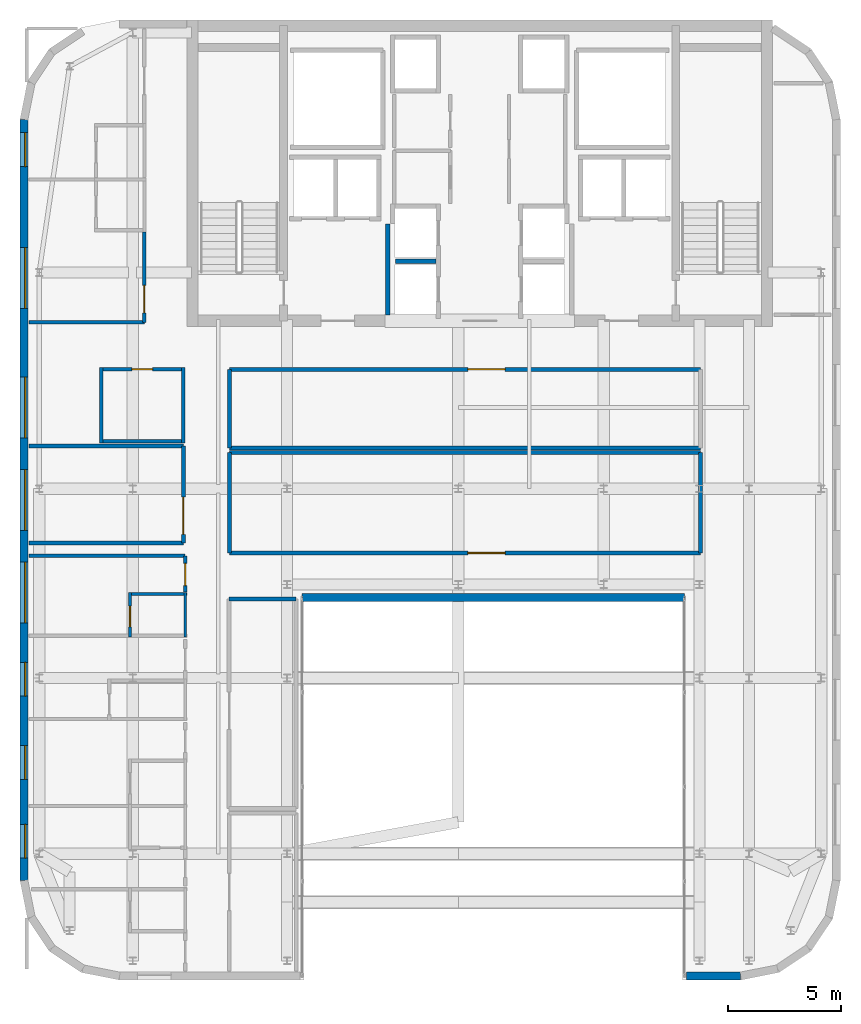
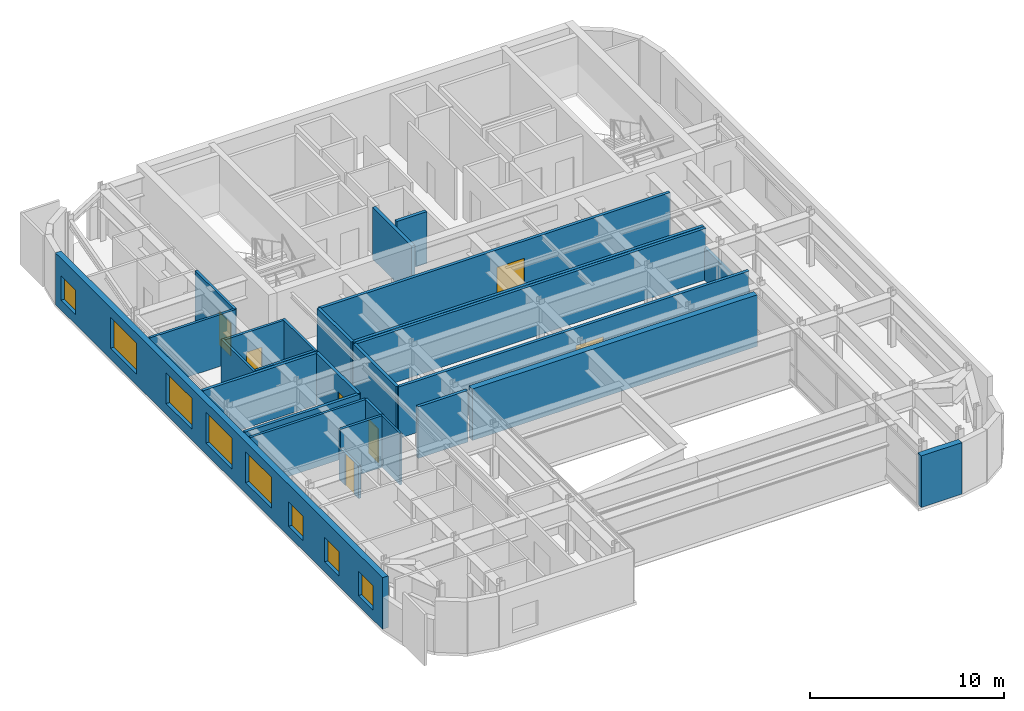
# One storey, part 17 of 21: 27 walls, 8 windows, 7 doors, 15 openings.
"""IFC4 building model written with IfcOpenShell, lengths in metres."""

from ifc_helpers import new_model, si_unit, direction, frame, frame_2d, origin, place, context, subcontext, project, spatial, rectangle, extrude, source, transform, mapped, material, layer, layer_set, type_object, type_shapes, element, fill, save


model = new_model("IFC4")

# Units and contexts
model_context = context("Model", 3, precision=1e-05, world=origin(), true_north=direction((0.0, 1.0)))
body_context = subcontext(model_context, "Body", "Model", "MODEL_VIEW")
ifc_project = project(units=[si_unit("LENGTHUNIT", "METRE"), si_unit("AREAUNIT", "SQUARE_METRE"), si_unit("VOLUMEUNIT", "CUBIC_METRE"), si_unit("PLANEANGLEUNIT", "RADIAN"), si_unit("MASSUNIT", "GRAM", prefix="KILO")], contexts=[model_context])

# Site, building, storey
site_placement = place(None, origin())
site = spatial("IfcSite", under=ifc_project, at=site_placement, CompositionType="ELEMENT")
building_placement = place(site_placement, origin())
building = spatial("IfcBuilding", under=site, at=building_placement, Name="Tolvann Quenvar Hotel", CompositionType="ELEMENT")
storey_placement = place(building_placement, frame((0.0, 0.0, 266.5)))
storey = spatial("IfcBuildingStorey", under=building, at=storey_placement, Name="L71", CompositionType="ELEMENT", Elevation=266.5)

# Walls
ifc_material_1 = material(Name="Kiln-fired red and buff architectural clay brickwork and terracotta masonry", Category="masonry")
ifc_layer_1 = layer(ifc_material_1, 0.35009765625)
ifc_layer_set_1 = layer_set([ifc_layer_1], Name="Kiln-fired red and buff architectural clay brickwork and terracotta masonry")
wall_type_1 = type_object("IfcWallType", Name="WALL_EXT_BRICK_350", PredefinedType="SOLIDWALL", material=ifc_layer_set_1)
wall_1_placement = place(storey_placement, frame((15.110107421875, 19.574951171875, 0.0), z_axis=(0.0, 0.0, 1.0), x_axis=(1.0, 0.0, 0.0)))
element("IfcWall", 1, at=wall_1_placement, inside=storey, type_object=wall_type_1, Name="Exterior Chicago Brick Wall L71-E06", PredefinedType="SOLIDWALL", context=body_context, shape_type="SweptSolid", body=[
    extrude(rectangle(XDim=16.97998046875, YDim=0.35009765625, at=frame_2d((8.489990234375, 0.0))), origin(), (0.0, 0.0, 1.0), 3.25),
])
wall_2_placement = place(storey_placement, frame((32.175048828125, 2.77490234375, 0.0), z_axis=(0.0, 0.0, 1.0), x_axis=(1.0, 0.0, 0.0)))
element("IfcWall", 2, at=wall_2_placement, inside=storey, type_object=wall_type_1, Name="Exterior Chicago Brick Wall L71-E08", PredefinedType="SOLIDWALL", context=body_context, shape_type="SweptSolid", body=[
    extrude(rectangle(XDim=2.40771484375, YDim=0.35009765625, at=frame_2d((1.203857421875, 0.0))), origin(), (0.0, 0.0, 1.0), 3.25),
])

# Wall, openings, windows
wall_3_placement = place(storey_placement, frame((2.77490234375, 40.78271484375, 0.0), z_axis=(0.0, 0.0, 1.0), x_axis=(0.0, -1.0, 0.0)))
wall_3 = element("IfcWall", 3, at=wall_3_placement, inside=storey, type_object=wall_type_1, Name="Exterior Chicago Brick Wall L71-E23", PredefinedType="SOLIDWALL", context=body_context, shape_type="SweptSolid", body=[
    extrude(rectangle(XDim=33.765625, YDim=0.35009765625, at=frame_2d((16.8828125, 0.0))), origin(), (0.0, 0.0, 1.0), 3.25),
])
opening_1_placement = place(wall_3_placement, frame((5.677978515625, 0.0, 0.679931640625)))
opening_1 = element("IfcOpeningElement", 4, at=opening_1_placement, cuts=wall_3, Name="Opening W-04", PredefinedType="OPENING", context=body_context, shape_type="SweptSolid", body=[
    extrude(rectangle(XDim=2.699951171875, YDim=1.949951171875, at=frame_2d((1.35009765625, 0.97509765625))), frame((0.0, 0.18505859375, 0.0), z_axis=(0.0, -1.0, 0.0), x_axis=(1.0, 0.0, 0.0)), (0.0, 0.0, 1.0), 0.3701171875),
])
opening_2_placement = place(wall_3_placement, frame((11.430908203125, 0.0, 0.679931640625)))
opening_2 = element("IfcOpeningElement", 5, at=opening_2_placement, cuts=wall_3, Name="Opening W-04", PredefinedType="OPENING", context=body_context, shape_type="SweptSolid", body=[
    extrude(rectangle(XDim=2.699951171875, YDim=1.949951171875, at=frame_2d((1.35009765625, 0.97509765625))), frame((0.0, 0.18505859375, 0.0), z_axis=(0.0, -1.0, 0.0), x_axis=(1.0, 0.0, 0.0)), (0.0, 0.0, 1.0), 0.3701171875),
])
opening_3_placement = place(wall_3_placement, frame((15.532958984375, 0.0, 0.679931640625)))
opening_3 = element("IfcOpeningElement", 6, at=opening_3_placement, cuts=wall_3, Name="Opening W-04", PredefinedType="OPENING", context=body_context, shape_type="SweptSolid", body=[
    extrude(rectangle(XDim=2.699951171875, YDim=1.949951171875, at=frame_2d((1.35009765625, 0.97509765625))), frame((0.0, 0.18505859375, 0.0), z_axis=(0.0, -1.0, 0.0), x_axis=(1.0, 0.0, 0.0)), (0.0, 0.0, 1.0), 0.3701171875),
])
opening_4_placement = place(wall_3_placement, frame((19.635009765625, 0.0, 0.679931640625)))
opening_4 = element("IfcOpeningElement", 7, at=opening_4_placement, cuts=wall_3, Name="Opening W-04", PredefinedType="OPENING", context=body_context, shape_type="SweptSolid", body=[
    extrude(rectangle(XDim=2.699951171875, YDim=1.949951171875, at=frame_2d((1.35009765625, 0.97509765625))), frame((0.0, 0.18505859375, 0.0), z_axis=(0.0, -1.0, 0.0), x_axis=(1.0, 0.0, 0.0)), (0.0, 0.0, 1.0), 0.3701171875),
])
opening_5_placement = place(wall_3_placement, frame((31.279052734375, 0.0, 0.6201171875)))
opening_5 = element("IfcOpeningElement", 8, at=opening_5_placement, cuts=wall_3, Name="Opening W-08", PredefinedType="OPENING", context=body_context, shape_type="SweptSolid", body=[
    extrude(rectangle(XDim=1.5, YDim=1.550048828125, at=frame_2d((0.75, 0.77490234375))), frame((0.0, 0.18505859375, 0.0), z_axis=(0.0, -1.0, 0.0), x_axis=(1.0, 0.0, 0.0)), (0.0, 0.0, 1.0), 0.3701171875),
])
opening_6_placement = place(wall_3_placement, frame((27.782958984375, 0.0, 0.6201171875)))
opening_6 = element("IfcOpeningElement", 9, at=opening_6_placement, cuts=wall_3, Name="Opening W-08", PredefinedType="OPENING", context=body_context, shape_type="SweptSolid", body=[
    extrude(rectangle(XDim=1.5, YDim=1.550048828125, at=frame_2d((0.75, 0.77490234375))), frame((0.0, 0.18505859375, 0.0), z_axis=(0.0, -1.0, 0.0), x_axis=(1.0, 0.0, 0.0)), (0.0, 0.0, 1.0), 0.3701171875),
])
opening_7_placement = place(wall_3_placement, frame((24.0830078125, 0.0, 0.6201171875)))
opening_7 = element("IfcOpeningElement", 10, at=opening_7_placement, cuts=wall_3, Name="Opening W-08", PredefinedType="OPENING", context=body_context, shape_type="SweptSolid", body=[
    extrude(rectangle(XDim=1.5, YDim=1.550048828125, at=frame_2d((0.75, 0.77490234375))), frame((0.0, 0.18505859375, 0.0), z_axis=(0.0, -1.0, 0.0), x_axis=(1.0, 0.0, 0.0)), (0.0, 0.0, 1.0), 0.3701171875),
])
opening_8_placement = place(wall_3_placement, frame((0.5859375, 0.0, 0.6201171875)))
opening_8 = element("IfcOpeningElement", 11, at=opening_8_placement, cuts=wall_3, Name="Opening W-08", PredefinedType="OPENING", context=body_context, shape_type="SweptSolid", body=[
    extrude(rectangle(XDim=1.5, YDim=1.550048828125, at=frame_2d((0.75, 0.77490234375))), frame((0.0, 0.18505859375, 0.0), z_axis=(0.0, -1.0, 0.0), x_axis=(1.0, 0.0, 0.0)), (0.0, 0.0, 1.0), 0.3701171875),
])
ifc_material_2 = material(Name="Thermally broken bronze-anodised aluminium frame with double low-E glazing", Category="aluminium")
window_type_1 = type_object("IfcWindowType", Name="WIN_COR_1500x2050", PartitioningType="SINGLE_PANEL", PredefinedType="WINDOW", material=ifc_material_2)
shared_shape_1 = source(origin(), body_context, "Body", "SweptSolid", [
    extrude(rectangle(XDim=1.5, YDim=1.550048828125, at=frame_2d((0.75, 0.77490234375))), frame((0.0, 0.090087890625, 0.0), z_axis=(0.0, -1.0, 0.0), x_axis=(1.0, 0.0, 0.0)), (0.0, 0.0, 1.0), 0.06005859375),
])
type_shapes(window_type_1, [shared_shape_1])
window_1_placement = place(opening_5_placement, origin())
window_1 = element("IfcWindow", 12, at=window_1_placement, inside=storey, type_object=window_type_1, Name="Chicago Window W-08 (EW-L71-E23-WD05)", OverallHeight=1.550048828125, OverallWidth=1.5, PartitioningType="SINGLE_PANEL", PredefinedType="WINDOW", context=body_context, shape_type="MappedRepresentation", body=[
    mapped(shared_shape_1, transform((0.0, 0.0, 0.0), x_axis=(1.0, 0.0, 0.0), y_axis=(0.0, 1.0, 0.0), z_axis=(0.0, 0.0, 1.0), scale=1.0)),
])
fill(opening_5, window_1)
window_2_placement = place(opening_6_placement, origin())
window_2 = element("IfcWindow", 13, at=window_2_placement, inside=storey, type_object=window_type_1, Name="Chicago Window W-08 (EW-L71-E23-WD06)", OverallHeight=1.550048828125, OverallWidth=1.5, PartitioningType="SINGLE_PANEL", PredefinedType="WINDOW", context=body_context, shape_type="MappedRepresentation", body=[
    mapped(shared_shape_1, transform((0.0, 0.0, 0.0), x_axis=(1.0, 0.0, 0.0), y_axis=(0.0, 1.0, 0.0), z_axis=(0.0, 0.0, 1.0), scale=1.0)),
])
fill(opening_6, window_2)
window_3_placement = place(opening_7_placement, origin())
window_3 = element("IfcWindow", 14, at=window_3_placement, inside=storey, type_object=window_type_1, Name="Chicago Window W-08 (EW-L71-E23-WD07)", OverallHeight=1.550048828125, OverallWidth=1.5, PartitioningType="SINGLE_PANEL", PredefinedType="WINDOW", context=body_context, shape_type="MappedRepresentation", body=[
    mapped(shared_shape_1, transform((0.0, 0.0, 0.0), x_axis=(1.0, 0.0, 0.0), y_axis=(0.0, 1.0, 0.0), z_axis=(0.0, 0.0, 1.0), scale=1.0)),
])
fill(opening_7, window_3)
window_4_placement = place(opening_8_placement, origin())
window_4 = element("IfcWindow", 15, at=window_4_placement, inside=storey, type_object=window_type_1, Name="Chicago Window W-08 (EW-L71-E23-WD08)", OverallHeight=1.550048828125, OverallWidth=1.5, PartitioningType="SINGLE_PANEL", PredefinedType="WINDOW", context=body_context, shape_type="MappedRepresentation", body=[
    mapped(shared_shape_1, transform((0.0, 0.0, 0.0), x_axis=(1.0, 0.0, 0.0), y_axis=(0.0, 1.0, 0.0), z_axis=(0.0, 0.0, 1.0), scale=1.0)),
])
fill(opening_8, window_4)
window_type_2 = type_object("IfcWindowType", Name="WIN_STE_2700x2150", PartitioningType="TRIPLE_PANEL_HORIZONTAL", PredefinedType="WINDOW", material=ifc_material_2)
shared_shape_2 = source(origin(), body_context, "Body", "SweptSolid", [
    extrude(rectangle(XDim=2.699951171875, YDim=1.949951171875, at=frame_2d((1.35009765625, 0.97509765625))), frame((0.0, 0.090087890625, 0.0), z_axis=(0.0, -1.0, 0.0), x_axis=(1.0, 0.0, 0.0)), (0.0, 0.0, 1.0), 0.06005859375),
])
type_shapes(window_type_2, [shared_shape_2])
window_5_placement = place(opening_1_placement, origin())
window_5 = element("IfcWindow", 16, at=window_5_placement, inside=storey, type_object=window_type_2, Name="Chicago Window W-04 (EW-L71-E23-W01)", OverallHeight=1.949951171875, OverallWidth=2.699951171875, PartitioningType="TRIPLE_PANEL_HORIZONTAL", PredefinedType="WINDOW", context=body_context, shape_type="MappedRepresentation", body=[
    mapped(shared_shape_2, transform((0.0, 0.0, 0.0), x_axis=(1.0, 0.0, 0.0), y_axis=(0.0, 1.0, 0.0), z_axis=(0.0, 0.0, 1.0), scale=1.0)),
])
fill(opening_1, window_5)
window_6_placement = place(opening_2_placement, origin())
window_6 = element("IfcWindow", 17, at=window_6_placement, inside=storey, type_object=window_type_2, Name="Chicago Window W-04 (EW-L71-E23-W02)", OverallHeight=1.949951171875, OverallWidth=2.699951171875, PartitioningType="TRIPLE_PANEL_HORIZONTAL", PredefinedType="WINDOW", context=body_context, shape_type="MappedRepresentation", body=[
    mapped(shared_shape_2, transform((0.0, 0.0, 0.0), x_axis=(1.0, 0.0, 0.0), y_axis=(0.0, 1.0, 0.0), z_axis=(0.0, 0.0, 1.0), scale=1.0)),
])
fill(opening_2, window_6)
window_7_placement = place(opening_3_placement, origin())
window_7 = element("IfcWindow", 18, at=window_7_placement, inside=storey, type_object=window_type_2, Name="Chicago Window W-04 (EW-L71-E23-W03)", OverallHeight=1.949951171875, OverallWidth=2.699951171875, PartitioningType="TRIPLE_PANEL_HORIZONTAL", PredefinedType="WINDOW", context=body_context, shape_type="MappedRepresentation", body=[
    mapped(shared_shape_2, transform((0.0, 0.0, 0.0), x_axis=(1.0, 0.0, 0.0), y_axis=(0.0, 1.0, 0.0), z_axis=(0.0, 0.0, 1.0), scale=1.0)),
])
fill(opening_3, window_7)
window_8_placement = place(opening_4_placement, origin())
window_8 = element("IfcWindow", 19, at=window_8_placement, inside=storey, type_object=window_type_2, Name="Chicago Window W-04 (EW-L71-E23-W04)", OverallHeight=1.949951171875, OverallWidth=2.699951171875, PartitioningType="TRIPLE_PANEL_HORIZONTAL", PredefinedType="WINDOW", context=body_context, shape_type="MappedRepresentation", body=[
    mapped(shared_shape_2, transform((0.0, 0.0, 0.0), x_axis=(1.0, 0.0, 0.0), y_axis=(0.0, 1.0, 0.0), z_axis=(0.0, 0.0, 1.0), scale=1.0)),
])
fill(opening_4, window_8)

# Wall
ifc_material_3 = material(Name="Acoustic twin-stud fire-rated gypsum plasterboard partition")
ifc_layer_2 = layer(ifc_material_3, 0.179931640625)
ifc_layer_set_2 = layer_set([ifc_layer_2], Name="Acoustic twin-stud fire-rated gypsum plasterboard partition")
wall_type_2 = type_object("IfcWallType", Name="WALL_PART_ACOUSTIC_180", PredefinedType="PARTITIONING", material=ifc_layer_set_2)
wall_4_placement = place(storey_placement, frame((11.8798828125, 19.5, 0.0), z_axis=(0.0, 0.0, 1.0), x_axis=(1.0, 0.0, 0.0)))
element("IfcWall", 20, at=wall_4_placement, inside=storey, type_object=wall_type_2, Name="Interior Partition PT-SPC-L71-POVL-N", PredefinedType="PARTITIONING", context=body_context, shape_type="SweptSolid", body=[
    extrude(rectangle(XDim=2.97021484375, YDim=0.179931640625, at=frame_2d((1.485107421875, 0.0))), origin(), (0.0, 0.0, 1.0), 3.25),
])

# Wall, opening, door
wall_5_placement = place(storey_placement, frame((11.89990234375, 21.550048828125, 0.0), z_axis=(0.0, 0.0, 1.0), x_axis=(1.0, 0.0, 0.0)))
wall_5 = element("IfcWall", 21, at=wall_5_placement, inside=storey, type_object=wall_type_2, Name="Interior Partition PT-SPC-L71-PCNTR1-S", PredefinedType="PARTITIONING", context=body_context, shape_type="SweptSolid", body=[
    extrude(rectangle(XDim=20.900146484375, YDim=0.179931640625, at=frame_2d((10.4501953125, 0.0))), origin(), (0.0, 0.0, 1.0), 3.25),
])
opening_9_placement = place(wall_5_placement, frame((10.574951171875, 0.0, 0.0)))
opening_9 = element("IfcOpeningElement", 22, at=opening_9_placement, cuts=wall_5, Name="Opening AD-01", PredefinedType="OPENING", context=body_context, shape_type="SweptSolid", body=[
    extrude(rectangle(XDim=1.64990234375, YDim=2.14990234375, at=frame_2d((0.824951171875, 1.074951171875))), frame((0.0, 0.10009765625, 0.0), z_axis=(0.0, -1.0, 0.0), x_axis=(1.0, 0.0, 0.0)), (0.0, 0.0, 1.0), 0.199951171875),
])
ifc_material_4 = material(Name="Solid-core American oak acoustic fire door leaf in steel frame", Category="steel")
door_type_1 = type_object("IfcDoorType", Name="DOOR_SALON_1650", OperationType="NOTDEFINED", PredefinedType="DOOR", material=ifc_material_4)
shared_shape_3 = source(origin(), body_context, "Body", "SweptSolid", [
    extrude(rectangle(XDim=1.64990234375, YDim=2.14990234375, at=frame_2d((0.824951171875, 1.074951171875))), frame((0.0, 0.02490234375, 0.0), z_axis=(0.0, -1.0, 0.0), x_axis=(1.0, 0.0, 0.0)), (0.0, 0.0, 1.0), 0.050048828125),
])
type_shapes(door_type_1, [shared_shape_3])
door_1_placement = place(opening_9_placement, origin())
door_1 = element("IfcDoor", 23, at=door_1_placement, inside=storey, type_object=door_type_1, Name="Interior Door DOOR-SPC-L71-PCNTR1", OperationType="DOUBLE_DOOR_SINGLE_SWING", OverallHeight=2.14990234375, OverallWidth=1.64990234375, PredefinedType="DOOR", context=body_context, shape_type="MappedRepresentation", body=[
    mapped(shared_shape_3, transform((0.0, 0.0, 0.0), x_axis=(1.0, 0.0, 0.0), y_axis=(0.0, 1.0, 0.0), z_axis=(0.0, 0.0, 1.0), scale=1.0)),
])
fill(opening_9, door_1)

# Walls
wall_6_placement = place(storey_placement, frame((11.89990234375, 26.0, 0.0), z_axis=(0.0, 0.0, 1.0), x_axis=(1.0, 0.0, 0.0)))
element("IfcWall", 24, at=wall_6_placement, inside=storey, type_object=wall_type_2, Name="Interior Partition PT-SPC-L71-PCNTR1-N", PredefinedType="PARTITIONING", context=body_context, shape_type="SweptSolid", body=[
    extrude(rectangle(XDim=20.900146484375, YDim=0.179931640625, at=frame_2d((10.4501953125, 0.0))), origin(), (0.0, 0.0, 1.0), 3.25),
])
wall_7_placement = place(storey_placement, frame((11.89990234375, 21.550048828125, 0.0), z_axis=(0.0, 0.0, 1.0), x_axis=(0.0, 1.0, 0.0)))
element("IfcWall", 25, at=wall_7_placement, inside=storey, type_object=wall_type_2, Name="Interior Partition PT-SPC-L71-PCNTR1-W", PredefinedType="PARTITIONING", context=body_context, shape_type="SweptSolid", body=[
    extrude(rectangle(XDim=4.449951171875, YDim=0.179931640625, at=frame_2d((2.22509765625, 0.0))), origin(), (0.0, 0.0, 1.0), 3.25),
])
wall_8_placement = place(storey_placement, frame((32.800048828125, 21.550048828125, 0.0), z_axis=(0.0, 0.0, 1.0), x_axis=(0.0, 1.0, 0.0)))
element("IfcWall", 26, at=wall_8_placement, inside=storey, type_object=wall_type_2, Name="Interior Partition PT-SPC-L71-PCNTR1-E", PredefinedType="PARTITIONING", context=body_context, shape_type="SweptSolid", body=[
    extrude(rectangle(XDim=4.449951171875, YDim=0.179931640625, at=frame_2d((2.22509765625, 0.0))), origin(), (0.0, 0.0, 1.0), 2.0400390625),
])
wall_9_placement = place(storey_placement, frame((11.89990234375, 26.199951171875, 0.0), z_axis=(0.0, 0.0, 1.0), x_axis=(1.0, 0.0, 0.0)))
element("IfcWall", 27, at=wall_9_placement, inside=storey, type_object=wall_type_2, Name="Interior Partition PT-SPC-L71-PCNTR2-S", PredefinedType="PARTITIONING", context=body_context, shape_type="SweptSolid", body=[
    extrude(rectangle(XDim=20.900146484375, YDim=0.179931640625, at=frame_2d((10.4501953125, 0.0))), origin(), (0.0, 0.0, 1.0), 3.25),
])

# Wall, opening, door
wall_10_placement = place(storey_placement, frame((11.89990234375, 29.699951171875, 0.0), z_axis=(0.0, 0.0, 1.0), x_axis=(1.0, 0.0, 0.0)))
wall_10 = element("IfcWall", 28, at=wall_10_placement, inside=storey, type_object=wall_type_2, Name="Interior Partition PT-SPC-L71-PCNTR2-N", PredefinedType="PARTITIONING", context=body_context, shape_type="SweptSolid", body=[
    extrude(rectangle(XDim=20.900146484375, YDim=0.179931640625, at=frame_2d((10.4501953125, 0.0))), origin(), (0.0, 0.0, 1.0), 3.25),
])
opening_10_placement = place(wall_10_placement, frame((10.574951171875, 0.0, 0.0)))
opening_10 = element("IfcOpeningElement", 29, at=opening_10_placement, cuts=wall_10, Name="Opening AD-01", PredefinedType="OPENING", context=body_context, shape_type="SweptSolid", body=[
    extrude(rectangle(XDim=1.64990234375, YDim=2.14990234375, at=frame_2d((0.824951171875, 1.074951171875))), frame((0.0, 0.10009765625, 0.0), z_axis=(0.0, -1.0, 0.0), x_axis=(1.0, 0.0, 0.0)), (0.0, 0.0, 1.0), 0.199951171875),
])
door_2_placement = place(opening_10_placement, origin())
door_2 = element("IfcDoor", 30, at=door_2_placement, inside=storey, type_object=door_type_1, Name="Interior Door DOOR-SPC-L71-PCNTR2", OperationType="DOUBLE_DOOR_SINGLE_SWING", OverallHeight=2.14990234375, OverallWidth=1.64990234375, PredefinedType="DOOR", context=body_context, shape_type="MappedRepresentation", body=[
    mapped(shared_shape_3, transform((0.0, 0.0, 0.0), x_axis=(1.0, 0.0, 0.0), y_axis=(0.0, 1.0, 0.0), z_axis=(0.0, 0.0, 1.0), scale=1.0)),
])
fill(opening_10, door_2)

# Walls
wall_11_placement = place(storey_placement, frame((11.89990234375, 26.199951171875, 0.0), z_axis=(0.0, 0.0, 1.0), x_axis=(0.0, 1.0, 0.0)))
element("IfcWall", 31, at=wall_11_placement, inside=storey, type_object=wall_type_2, Name="Interior Partition PT-SPC-L71-PCNTR2-W", PredefinedType="PARTITIONING", context=body_context, shape_type="SweptSolid", body=[
    extrude(rectangle(XDim=3.5, YDim=0.179931640625, at=frame_2d((1.75, 0.0))), origin(), (0.0, 0.0, 1.0), 3.25),
])
for number, where, z_axis, x_axis, name in (
    (32, (3.0048828125, 22.0, 0.0), (0.0, 0.0, 1.0), (1.0, 0.0, 0.0), "Interior Partition PT-SPC-L71-WCLNG-S"),
    (33, (3.0048828125, 26.300048828125, 0.0), (0.0, 0.0, 1.0), (1.0, 0.0, 0.0), "Interior Partition PT-SPC-L71-WCLNG-N"),
):
    element("IfcWall", number, at=place(storey_placement, frame(where, z_axis=z_axis, x_axis=x_axis)), inside=storey, type_object=wall_type_2, Name=name, PredefinedType="PARTITIONING", context=body_context, shape_type="SweptSolid", body=[
        extrude(rectangle(XDim=6.84521484375, YDim=0.179931640625, at=frame_2d((3.422607421875, 0.0))), origin(), (0.0, 0.0, 1.0), 3.25),
    ])

# Wall, opening, door
wall_12_placement = place(storey_placement, frame((9.85009765625, 22.0, 0.0), z_axis=(0.0, 0.0, 1.0), x_axis=(0.0, 1.0, 0.0)))
wall_12 = element("IfcWall", 34, at=wall_12_placement, inside=storey, type_object=wall_type_2, Name="Interior Partition PT-SPC-L71-WCLNG-E", PredefinedType="PARTITIONING", context=body_context, shape_type="SweptSolid", body=[
    extrude(rectangle(XDim=4.300048828125, YDim=0.179931640625, at=frame_2d((2.14990234375, 0.0))), origin(), (0.0, 0.0, 1.0), 3.25),
])
opening_11_placement = place(wall_12_placement, frame((0.375, 0.0, 0.0)))
opening_11 = element("IfcOpeningElement", 35, at=opening_11_placement, cuts=wall_12, Name="Opening AD-01", PredefinedType="OPENING", context=body_context, shape_type="SweptSolid", body=[
    extrude(rectangle(XDim=1.64990234375, YDim=2.14990234375, at=frame_2d((0.824951171875, 1.074951171875))), frame((0.0, 0.10009765625, 0.0), z_axis=(0.0, -1.0, 0.0), x_axis=(1.0, 0.0, 0.0)), (0.0, 0.0, 1.0), 0.199951171875),
])
door_3_placement = place(opening_11_placement, origin())
door_3 = element("IfcDoor", 36, at=door_3_placement, inside=storey, type_object=door_type_1, Name="Interior Door DOOR-SPC-L71-WCLNG", OperationType="DOUBLE_DOOR_SINGLE_SWING", OverallHeight=2.14990234375, OverallWidth=1.64990234375, PredefinedType="DOOR", context=body_context, shape_type="MappedRepresentation", body=[
    mapped(shared_shape_3, transform((0.0, 0.0, 0.0), x_axis=(1.0, 0.0, 0.0), y_axis=(0.0, 1.0, 0.0), z_axis=(0.0, 0.0, 1.0), scale=1.0)),
])
fill(opening_11, door_3)

# Wall
ifc_material_5 = material(Name="Moisture-resistant acoustic plumbing wall assembly")
ifc_layer_3 = layer(ifc_material_5, 0.1201171875)
ifc_layer_set_3 = layer_set([ifc_layer_3], Name="Moisture-resistant acoustic plumbing wall assembly")
wall_type_3 = type_object("IfcWallType", Name="WALL_PART_BATH_120", PredefinedType="PLUMBINGWALL", material=ifc_layer_set_3)
wall_13_placement = place(storey_placement, frame((9.929931640625, 17.81005859375, 0.0), z_axis=(0.0, 0.0, 1.0), x_axis=(0.0, 1.0, 0.0)))
element("IfcWall", 37, at=wall_13_placement, inside=storey, type_object=wall_type_3, Name="Non-Rated Plumbing Partition PT-SPC-L71-ENS-PW05-E", PredefinedType="PLUMBINGWALL", context=body_context, shape_type="SweptSolid", body=[
    extrude(rectangle(XDim=1.989990234375, YDim=0.1201171875, at=frame_2d((0.9951171875, 0.0))), origin(), (0.0, 0.0, 1.0), 3.25),
])

# Wall, opening, door
ifc_layer_4 = layer(ifc_material_3, 0.14990234375)
ifc_layer_set_4 = layer_set([ifc_layer_4], Name="Acoustic twin-stud fire-rated gypsum plasterboard partition")
wall_type_4 = type_object("IfcWallType", Name="WALL_PART_SUITE_150", PredefinedType="PARTITIONING", material=ifc_layer_set_4)
wall_14_placement = place(storey_placement, frame((7.47998046875, 17.81005859375, 0.0), z_axis=(0.0, 0.0, 1.0), x_axis=(0.0, 1.0, 0.0)))
wall_14 = element("IfcWall", 38, at=wall_14_placement, inside=storey, type_object=wall_type_4, Name="Interior Partition PT-SPC-L71-ENS-PW05-ENT", PredefinedType="PARTITIONING", context=body_context, shape_type="SweptSolid", body=[
    extrude(rectangle(XDim=1.989990234375, YDim=0.14990234375, at=frame_2d((0.9951171875, 0.0))), origin(), (0.0, 0.0, 1.0), 2.0400390625),
])
opening_12_placement = place(wall_14_placement, frame((0.465087890625, 0.0, 0.0)))
opening_12 = element("IfcOpeningElement", 39, at=opening_12_placement, cuts=wall_14, Name="Opening WD-01", PredefinedType="OPENING", context=body_context, shape_type="SweptSolid", body=[
    extrude(rectangle(XDim=0.919921875, YDim=2.010009765625, at=frame_2d((0.4599609375, 1.0048828125))), frame((0.0, 0.0849609375, 0.0), z_axis=(0.0, -1.0, 0.0), x_axis=(1.0, 0.0, 0.0)), (0.0, 0.0, 1.0), 0.169921875),
])
door_type_2 = type_object("IfcDoorType", Name="DOOR_WC_920", OperationType="NOTDEFINED", PredefinedType="DOOR", material=ifc_material_4)
shared_shape_4 = source(origin(), body_context, "Body", "SweptSolid", [
    extrude(rectangle(XDim=0.919921875, YDim=2.010009765625, at=frame_2d((0.4599609375, 1.0048828125))), frame((0.0, 0.02490234375, 0.0), z_axis=(0.0, -1.0, 0.0), x_axis=(1.0, 0.0, 0.0)), (0.0, 0.0, 1.0), 0.050048828125),
])
type_shapes(door_type_2, [shared_shape_4])
door_4_placement = place(opening_12_placement, origin())
door_4 = element("IfcDoor", 40, at=door_4_placement, inside=storey, type_object=door_type_2, Name="Interior Door DOOR-SPC-L71-ENS-PW05", OperationType="SINGLE_SWING_LEFT", OverallHeight=2.010009765625, OverallWidth=0.919921875, PredefinedType="DOOR", context=body_context, shape_type="MappedRepresentation", body=[
    mapped(shared_shape_4, transform((0.0, 0.0, 0.0), x_axis=(1.0, 0.0, 0.0), y_axis=(0.0, 1.0, 0.0), z_axis=(0.0, 0.0, 1.0), scale=1.0)),
])
fill(opening_12, door_4)

# Wall
wall_15_placement = place(storey_placement, frame((7.409912109375, 19.72998046875, 0.0), z_axis=(0.0, 0.0, 1.0), x_axis=(1.0, 0.0, 0.0)))
element("IfcWall", 41, at=wall_15_placement, inside=storey, type_object=wall_type_4, Name="Interior Partition PT-SPC-L71-ENS-PW05-N", PredefinedType="PARTITIONING", context=body_context, shape_type="SweptSolid", body=[
    extrude(rectangle(XDim=2.590087890625, YDim=0.14990234375, at=frame_2d((1.294921875, 0.0))), origin(), (0.0, 0.0, 1.0), 3.25),
])

# Wall, opening, door
wall_16_placement = place(storey_placement, frame((9.929931640625, 19.81005859375, 0.0), z_axis=(0.0, 0.0, 1.0), x_axis=(0.0, 1.0, 0.0)))
wall_16 = element("IfcWall", 42, at=wall_16_placement, inside=storey, type_object=wall_type_4, Name="Interior Partition PT-SPC-L71-RM-PW05-ENT", PredefinedType="PARTITIONING", context=body_context, shape_type="SweptSolid", body=[
    extrude(rectangle(XDim=1.60986328125, YDim=0.14990234375, at=frame_2d((0.804931640625, 0.0))), origin(), (0.0, 0.0, 1.0), 3.25),
])
opening_13_placement = place(wall_16_placement, frame((0.294921875, 0.0, 0.0)))
opening_13 = element("IfcOpeningElement", 43, at=opening_13_placement, cuts=wall_16, Name="Opening SD-01", PredefinedType="OPENING", context=body_context, shape_type="SweptSolid", body=[
    extrude(rectangle(XDim=0.97998046875, YDim=2.1201171875, at=frame_2d((0.489990234375, 1.06005859375))), frame((0.0, 0.0849609375, 0.0), z_axis=(0.0, -1.0, 0.0), x_axis=(1.0, 0.0, 0.0)), (0.0, 0.0, 1.0), 0.169921875),
])
door_type_3 = type_object("IfcDoorType", Name="DOOR_SUITE_980", OperationType="NOTDEFINED", PredefinedType="DOOR", material=ifc_material_4)
shared_shape_5 = source(origin(), body_context, "Body", "SweptSolid", [
    extrude(rectangle(XDim=0.97998046875, YDim=2.1201171875, at=frame_2d((0.489990234375, 1.06005859375))), frame((0.0, 0.02490234375, 0.0), z_axis=(0.0, -1.0, 0.0), x_axis=(1.0, 0.0, 0.0)), (0.0, 0.0, 1.0), 0.050048828125),
])
type_shapes(door_type_3, [shared_shape_5])
door_5_placement = place(opening_13_placement, origin())
door_5 = element("IfcDoor", 44, at=door_5_placement, inside=storey, type_object=door_type_3, Name="Interior Door DOOR-SPC-L71-RM-PW05", OperationType="SINGLE_SWING_LEFT", OverallHeight=2.1201171875, OverallWidth=0.97998046875, PredefinedType="DOOR", context=body_context, shape_type="MappedRepresentation", body=[
    mapped(shared_shape_5, transform((0.0, 0.0, 0.0), x_axis=(1.0, 0.0, 0.0), y_axis=(0.0, 1.0, 0.0), z_axis=(0.0, 0.0, 1.0), scale=1.0)),
])
fill(opening_13, door_5)

# Walls
wall_17_placement = place(storey_placement, frame((3.0048828125, 21.419921875, 0.0), z_axis=(0.0, 0.0, 1.0), x_axis=(1.0, 0.0, 0.0)))
element("IfcWall", 45, at=wall_17_placement, inside=storey, type_object=wall_type_4, Name="Interior Partition PT-SPC-L71-RM-PW05-E5", PredefinedType="PARTITIONING", context=body_context, shape_type="SweptSolid", body=[
    extrude(rectangle(XDim=6.925048828125, YDim=0.14990234375, at=frame_2d((3.46240234375, 0.0))), origin(), (0.0, 0.0, 1.0), 3.25),
])
wall_18_placement = place(storey_placement, frame((6.1298828125, 26.5, 0.0), z_axis=(0.0, 0.0, 1.0), x_axis=(1.0, 0.0, 0.0)))
element("IfcWall", 46, at=wall_18_placement, inside=storey, type_object=wall_type_4, Name="Interior Partition PT-SPC-L71-WCA-S", PredefinedType="PARTITIONING", context=body_context, shape_type="SweptSolid", body=[
    extrude(rectangle(XDim=3.7900390625, YDim=0.14990234375, at=frame_2d((1.89501953125, 0.0))), origin(), (0.0, 0.0, 1.0), 3.25),
])

# Wall, opening, door
wall_19_placement = place(storey_placement, frame((6.1298828125, 29.699951171875, 0.0), z_axis=(0.0, 0.0, 1.0), x_axis=(1.0, 0.0, 0.0)))
wall_19 = element("IfcWall", 47, at=wall_19_placement, inside=storey, type_object=wall_type_4, Name="Interior Partition PT-SPC-L71-WCA-N", PredefinedType="PARTITIONING", context=body_context, shape_type="SweptSolid", body=[
    extrude(rectangle(XDim=3.7900390625, YDim=0.14990234375, at=frame_2d((1.89501953125, 0.0))), origin(), (0.0, 0.0, 1.0), 3.25),
])
opening_14_placement = place(wall_19_placement, frame((1.43505859375, 0.0, 0.0)))
opening_14 = element("IfcOpeningElement", 48, at=opening_14_placement, cuts=wall_19, Name="Opening WD-01", PredefinedType="OPENING", context=body_context, shape_type="SweptSolid", body=[
    extrude(rectangle(XDim=0.919921875, YDim=2.010009765625, at=frame_2d((0.4599609375, 1.0048828125))), frame((0.0, 0.0849609375, 0.0), z_axis=(0.0, -1.0, 0.0), x_axis=(1.0, 0.0, 0.0)), (0.0, 0.0, 1.0), 0.169921875),
])
door_6_placement = place(opening_14_placement, origin())
door_6 = element("IfcDoor", 49, at=door_6_placement, inside=storey, type_object=door_type_2, Name="Interior Door DOOR-SPC-L71-WCA", OperationType="SINGLE_SWING_RIGHT", OverallHeight=2.010009765625, OverallWidth=0.919921875, PredefinedType="DOOR", context=body_context, shape_type="MappedRepresentation", body=[
    mapped(shared_shape_4, transform((0.0, 0.0, 0.0), x_axis=(1.0, 0.0, 0.0), y_axis=(0.0, 1.0, 0.0), z_axis=(0.0, 0.0, 1.0), scale=1.0)),
])
fill(opening_14, door_6)

# Walls
for number, where, z_axis, x_axis, name in (
    (50, (6.199951171875, 26.429931640625, 0.0), (0.0, 0.0, 1.0), (0.0, 1.0, 0.0), "Interior Partition PT-SPC-L71-WCA-W"),
    (51, (9.85009765625, 26.429931640625, 0.0), (0.0, 0.0, 1.0), (0.0, 1.0, 0.0), "Interior Partition PT-SPC-L71-WCA-E"),
):
    element("IfcWall", number, at=place(storey_placement, frame(where, z_axis=z_axis, x_axis=x_axis)), inside=storey, type_object=wall_type_4, Name=name, PredefinedType="PARTITIONING", context=body_context, shape_type="SweptSolid", body=[
        extrude(rectangle(XDim=3.340087890625, YDim=0.14990234375, at=frame_2d((1.669921875, 0.0))), origin(), (0.0, 0.0, 1.0), 3.25),
    ])

# Wall, opening, door
wall_20_placement = place(storey_placement, frame((8.1201171875, 31.780029296875, 0.0), z_axis=(0.0, 0.0, 1.0), x_axis=(0.0, 1.0, 0.0)))
wall_20 = element("IfcWall", 52, at=wall_20_placement, inside=storey, type_object=wall_type_4, Name="Interior Partition PT-SPC-L71-RM-PNW01-ENT", PredefinedType="PARTITIONING", context=body_context, shape_type="SweptSolid", body=[
    extrude(rectangle(XDim=4.010009765625, YDim=0.14990234375, at=frame_2d((2.0048828125, 0.0))), origin(), (0.0, 0.0, 1.0), 3.25),
])
opening_15_placement = place(wall_20_placement, frame((0.425048828125, 0.0, 0.0)))
opening_15 = element("IfcOpeningElement", 53, at=opening_15_placement, cuts=wall_20, Name="Opening SD-02", PredefinedType="OPENING", context=body_context, shape_type="SweptSolid", body=[
    extrude(rectangle(XDim=1.219970703125, YDim=2.080078125, at=frame_2d((0.60986328125, 1.0400390625))), frame((0.0, 0.0849609375, 0.0), z_axis=(0.0, -1.0, 0.0), x_axis=(1.0, 0.0, 0.0)), (0.0, 0.0, 1.0), 0.169921875),
])
door_type_4 = type_object("IfcDoorType", Name="DOOR_VIP_1220", OperationType="NOTDEFINED", PredefinedType="DOOR", material=ifc_material_4)
shared_shape_6 = source(origin(), body_context, "Body", "SweptSolid", [
    extrude(rectangle(XDim=1.219970703125, YDim=2.080078125, at=frame_2d((0.60986328125, 1.0400390625))), frame((0.0, 0.02490234375, 0.0), z_axis=(0.0, -1.0, 0.0), x_axis=(1.0, 0.0, 0.0)), (0.0, 0.0, 1.0), 0.050048828125),
])
type_shapes(door_type_4, [shared_shape_6])
door_7_placement = place(opening_15_placement, origin())
door_7 = element("IfcDoor", 54, at=door_7_placement, inside=storey, type_object=door_type_4, Name="Interior Door DOOR-SPC-L71-RM-PNW01", OperationType="SINGLE_SWING_LEFT", OverallHeight=2.080078125, OverallWidth=1.219970703125, PredefinedType="DOOR", context=body_context, shape_type="MappedRepresentation", body=[
    mapped(shared_shape_6, transform((0.0, 0.0, 0.0), x_axis=(1.0, 0.0, 0.0), y_axis=(0.0, 1.0, 0.0), z_axis=(0.0, 0.0, 1.0), scale=1.0)),
])
fill(opening_15, door_7)

# Walls
wall_21_placement = place(storey_placement, frame((3.0048828125, 31.780029296875, 0.0), z_axis=(0.0, 0.0, 1.0), x_axis=(1.0, 0.0, 0.0)))
element("IfcWall", 55, at=wall_21_placement, inside=storey, type_object=wall_type_4, Name="Interior Partition PT-SPC-L71-RM-PNW01-E1", PredefinedType="PARTITIONING", context=body_context, shape_type="SweptSolid", body=[
    extrude(rectangle(XDim=5.115234375, YDim=0.14990234375, at=frame_2d((2.5576171875, 0.0))), origin(), (0.0, 0.0, 1.0), 3.25),
])
ifc_material_6 = material(Name="Concrete N40 (40 MPa)", Category="concrete")
ifc_layer_5 = layer(ifc_material_6, 0.199951171875)
ifc_layer_set_5 = layer_set([ifc_layer_5], Name="Concrete N40 (40 MPa)")
wall_type_5 = type_object("IfcWallType", Name="WALL_SHAFT_200", PredefinedType="SOLIDWALL", material=ifc_layer_set_5)
wall_22_placement = place(storey_placement, frame((18.919921875, 32.10400390625, 0.0), z_axis=(0.0, 0.0, 1.0), x_axis=(0.0, 1.0, 0.0)))
element("IfcWall", 56, at=wall_22_placement, inside=storey, type_object=wall_type_5, Name="Firefighting Lobby W Inner Fire Wall (L71)", PredefinedType="SOLIDWALL", context=body_context, shape_type="SweptSolid", body=[
    extrude(rectangle(XDim=4.0458984375, YDim=0.199951171875, at=frame_2d((2.02294921875, 0.0))), origin(), (0.0, 0.0, 1.0), 3.25),
])
wall_23_placement = place(storey_placement, frame((19.27001953125, 34.5, 0.0), z_axis=(0.0, 0.0, 1.0), x_axis=(1.0, 0.0, 0.0)))
element("IfcWall", 57, at=wall_23_placement, inside=storey, type_object=wall_type_5, Name="Lift Bank E21.1C1 Divider Wall 1 (L71)", PredefinedType="SOLIDWALL", context=body_context, shape_type="SweptSolid", body=[
    extrude(rectangle(XDim=1.800048828125, YDim=0.199951171875, at=frame_2d((0.89990234375, 0.0))), origin(), (0.0, 0.0, 1.0), 3.25),
])

save(model, "model.ifc")
